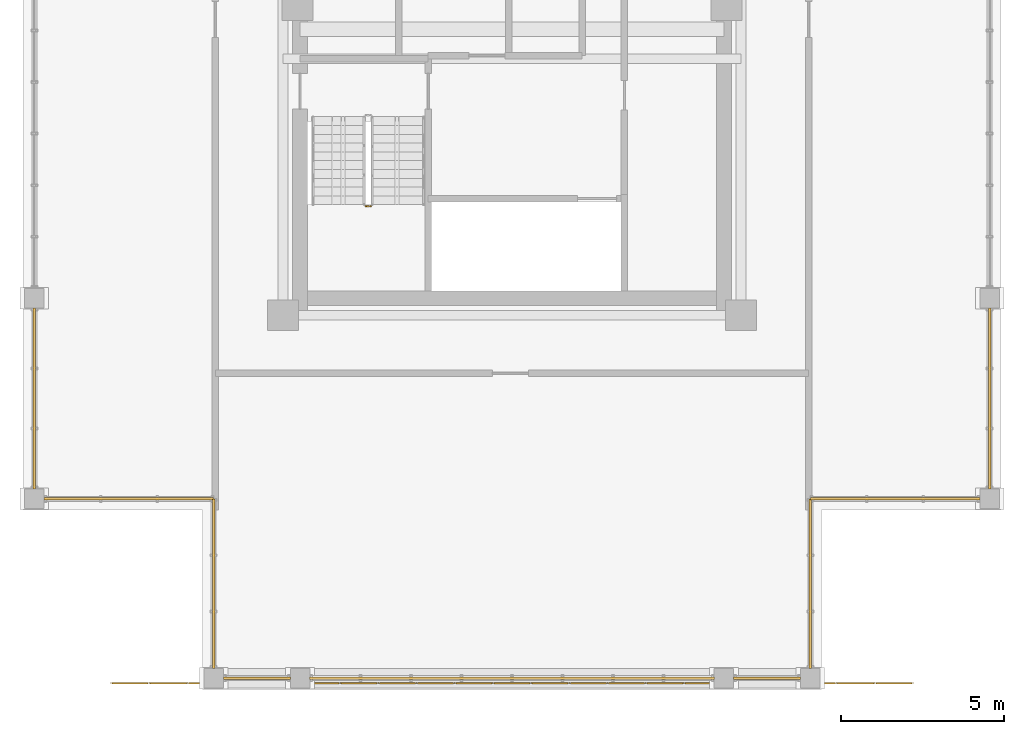
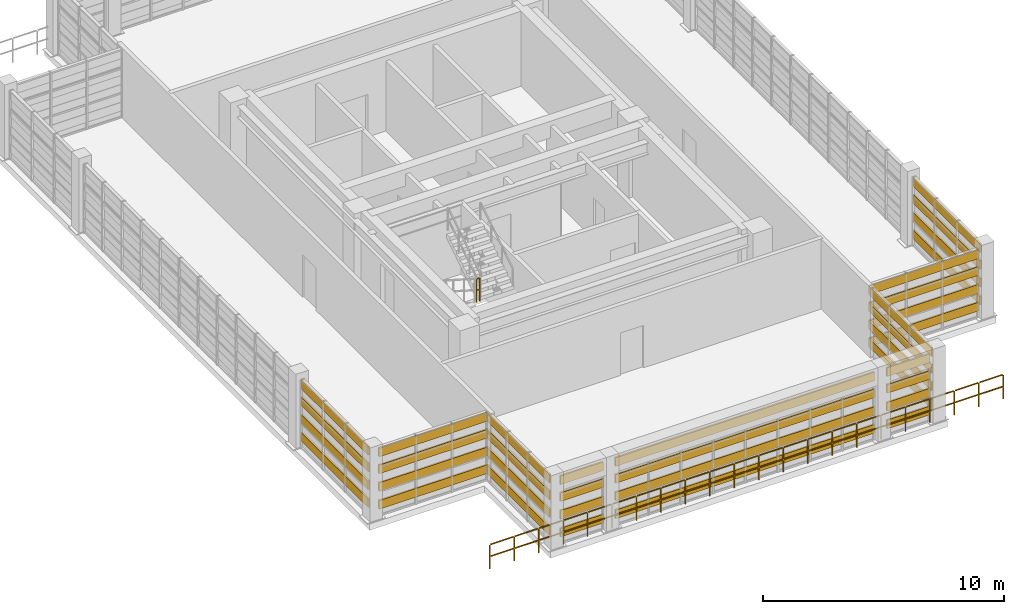
# One storey, part 22 of 24: 36 shading devices, 2 railings.
"""IFC4 building model written with IfcOpenShell, lengths in metres."""

import ifcopenshell
import ifcopenshell.guid

model = None  # the IFC model being written
_history = None  # IfcOwnerHistory: only IFC2X3 demands one
_inside = {}  # id of a spatial element -> (the spatial element, [elements in it])
_under = {}  # id of a project, library or spatial element -> (it, [spatial elements below it])
_declared = {}  # id of a project -> (the project, [libraries it declares])
_typed = {}  # id of a type object -> (the type object, [elements of that type])
_made_of = {}  # id of a material, layer set ... -> (it, [elements and type objects made of it])


def new_model(schema):
    """Start an empty IFC model of exactly this schema.

    Asked for "IFC4X3", IfcOpenShell would pick the latest addendum, in which some entities
    have other attributes; the version numbers below select the first issue.
    IFC2X3 requires an IfcOwnerHistory on every rooted entity: one is made here for all.
    """
    global model, _history
    if schema == "IFC4X3":
        model = ifcopenshell.file(schema_version=(4, 3, 0, 0))
    else:
        model = ifcopenshell.file(schema=schema)
    _inside.clear()
    _under.clear()
    _declared.clear()
    _typed.clear()
    _made_of.clear()
    _history = None
    if model.schema == "IFC2X3":
        org = make("IfcOrganization", Name="unknown")
        user = make(
            "IfcPersonAndOrganization",
            ThePerson=make("IfcPerson", FamilyName="unknown"),
            TheOrganization=org,
        )
        app = make(
            "IfcApplication",
            ApplicationDeveloper=org,
            Version="unknown",
            ApplicationFullName="unknown",
            ApplicationIdentifier="unknown",
        )
        _history = make(
            "IfcOwnerHistory",
            OwningUser=user,
            OwningApplication=app,
            ChangeAction="ADDED",
            CreationDate=0,
        )
    return model


def make(cls, **values):
    """One entity of the class cls with the attributes given. An attribute that is None is left unset."""
    return model.create_entity(
        cls, **{name: value for name, value in values.items() if value is not None}
    )


def rooted(cls, **values):
    """An entity with a GlobalId (a new one), such as an element, a storey or a relation."""
    return make(cls, GlobalId=ifcopenshell.guid.new(), OwnerHistory=_history, **values)


def si_unit(unit_type, name, prefix=None):
    """IfcSIUnit, for example si_unit("LENGTHUNIT", "METRE", prefix="MILLI")."""
    return make("IfcSIUnit", UnitType=unit_type, Prefix=prefix, Name=name)


def assignment(units):
    """IfcUnitAssignment: the units of a project."""
    return None if units is None else make("IfcUnitAssignment", Units=units)


def point(xyz):
    """IfcCartesianPoint."""
    return None if xyz is None else make("IfcCartesianPoint", Coordinates=xyz)


def direction(xyz):
    """IfcDirection."""
    return None if xyz is None else make("IfcDirection", DirectionRatios=xyz)


def frame(location, z_axis=None, x_axis=None):
    """IfcAxis2Placement3D, a coordinate frame: its origin and axes. An axis left out is left unset."""
    return make(
        "IfcAxis2Placement3D",
        Location=point(location),
        Axis=direction(z_axis),
        RefDirection=direction(x_axis),
    )


def frame_2d(location, x_axis=None):
    """IfcAxis2Placement2D, a coordinate frame in the plane: its origin and x axis."""
    return make(
        "IfcAxis2Placement2D", Location=point(location), RefDirection=direction(x_axis)
    )


def origin():
    """The frame at (0, 0, 0) with its axes left unset."""
    return frame((0.0, 0.0, 0.0))


def origin_2d():
    """The frame at (0, 0) in the plane with its x axis left unset."""
    return frame_2d((0.0, 0.0))


def place(relative_to, where):
    """IfcLocalPlacement: puts the frame where relative to a parent placement (None: the world)."""
    return make(
        "IfcLocalPlacement", PlacementRelTo=relative_to, RelativePlacement=where
    )


def context(
    kind, dimensions, precision=None, world=None, true_north=None, identifier=None
):
    """IfcGeometricRepresentationContext, for example the 3D "Model" context."""
    return make(
        "IfcGeometricRepresentationContext",
        ContextIdentifier=identifier,
        ContextType=kind,
        CoordinateSpaceDimension=dimensions,
        Precision=precision,
        WorldCoordinateSystem=world,
        TrueNorth=true_north,
    )


def subcontext(parent, identifier, kind, view, scale=None):
    """IfcGeometricRepresentationSubContext, for example "Body" below "Model"."""
    return make(
        "IfcGeometricRepresentationSubContext",
        ContextIdentifier=identifier,
        ContextType=kind,
        ParentContext=parent,
        TargetScale=scale,
        TargetView=view,
    )


def project(units=None, contexts=None):
    """IfcProject with its units and contexts."""
    return rooted(
        "IfcProject",
        Name="project",
        RepresentationContexts=contexts,
        UnitsInContext=assignment(units),
    )


def spatial(cls, under=None, at=None, **own):
    """A site, building, storey or space (cls), placed at a placement, below another one or the project."""
    s = rooted(cls, ObjectPlacement=at, **own)
    if under is not None:
        _under.setdefault(under.id(), (under, []))[1].append(s)
    return s


def profile(cls, at=None, kind="AREA", **sizes):
    """A parametric profile (cls). Its sizes go by their IFC names, for example OverallWidth=200.0."""
    return make(cls, ProfileType=kind, Position=at, **sizes)


def rectangle(**sizes):
    """IfcRectangleProfileDef."""
    return profile("IfcRectangleProfileDef", **sizes)


def extrude(swept, where, along, depth):
    """IfcExtrudedAreaSolid: the profile swept, set in the frame where, extruded along a direction by depth."""
    return make(
        "IfcExtrudedAreaSolid",
        SweptArea=swept,
        Position=where,
        ExtrudedDirection=direction(along),
        Depth=depth,
    )


def shape(context_of_items, identifier, shape_type, items):
    """IfcShapeRepresentation: the items that make up one representation, for example the "Body"."""
    return make(
        "IfcShapeRepresentation",
        ContextOfItems=context_of_items,
        RepresentationIdentifier=identifier,
        RepresentationType=shape_type,
        Items=items,
    )


def source(mapping_origin, context_of_items, identifier, shape_type, items):
    """IfcRepresentationMap: a shape defined once, which mapped items show again and again."""
    return make(
        "IfcRepresentationMap",
        MappingOrigin=mapping_origin,
        MappedRepresentation=shape(context_of_items, identifier, shape_type, items),
    )


def transform(
    local_origin,
    x_axis=None,
    y_axis=None,
    z_axis=None,
    scale=None,
    scale2=None,
    scale3=None,
    uniform=True,
):
    """IfcCartesianTransformationOperator3D, or its non-uniform kind. x_axis, y_axis, z_axis: its Axis1, 2, 3."""
    if uniform:
        return make(
            "IfcCartesianTransformationOperator3D",
            Axis1=direction(x_axis),
            Axis2=direction(y_axis),
            LocalOrigin=point(local_origin),
            Scale=scale,
            Axis3=direction(z_axis),
        )
    return make(
        "IfcCartesianTransformationOperator3DnonUniform",
        Axis1=direction(x_axis),
        Axis2=direction(y_axis),
        LocalOrigin=point(local_origin),
        Scale=scale,
        Axis3=direction(z_axis),
        Scale2=scale2,
        Scale3=scale3,
    )


def mapped(mapping_source, mapping_target):
    """IfcMappedItem: shows the shape of a source again, moved by a transform."""
    return make(
        "IfcMappedItem", MappingSource=mapping_source, MappingTarget=mapping_target
    )


def material(Name=None, Category=None):
    """IfcMaterial."""
    return make("IfcMaterial", Name=Name, Category=Category)


def material_profile(
    of_material, cross_section, Name=None, Category=None, Priority=None
):
    """IfcMaterialProfile: a cross section and its material."""
    return make(
        "IfcMaterialProfile",
        Name=Name,
        Material=of_material,
        Profile=cross_section,
        Priority=Priority,
        Category=Category,
    )


def profile_set(profiles, Name=None, composite=None):
    """IfcMaterialProfileSet."""
    return make(
        "IfcMaterialProfileSet",
        Name=Name,
        MaterialProfiles=profiles,
        CompositeProfile=composite,
    )


def made_of(thing, what):
    """Note that an element or type object is made of a material, layer set ...; save() writes the relation."""
    if what is not None:
        _made_of.setdefault(what.id(), (what, []))[1].append(thing)
    return thing


def type_object(cls, material=None, **own):
    """A type object (cls), such as IfcWallType, which elements share."""
    return made_of(rooted(cls, **own), material)


def element(
    cls,
    number,
    at=None,
    inside=None,
    cuts=None,
    type_object=None,
    material=None,
    context=None,
    identifier="Body",
    shape_type=None,
    held_by="IfcProductDefinitionShape",
    body=None,
    shapes=None,
    **own,
):
    """One element of the class cls, such as IfcWall. Its Tag is "e" and its number.

    at: its placement. inside: the storey or other place that contains it. cuts: it is an
    opening in that element (IfcRelVoidsElement). A single representation is given by context,
    identifier, shape_type and body (its items); several are given by shapes. held_by: the class
    of the entity that holds the representations. save() writes the other relations.
    """
    e = rooted(cls, Tag="e%d" % number, ObjectPlacement=at, **own)
    if body is not None:
        shapes = [shape(context, identifier, shape_type, body)]
    if shapes is not None:
        e.Representation = make(held_by, Representations=shapes)
    if inside is not None:
        _inside.setdefault(inside.id(), (inside, []))[1].append(e)
    if cuts is not None:
        rooted(
            "IfcRelVoidsElement", RelatingBuildingElement=cuts, RelatedOpeningElement=e
        )
    if type_object is not None:
        _typed.setdefault(type_object.id(), (type_object, []))[1].append(e)
    return made_of(e, material)


def aggregate(whole, parts):
    """IfcRelAggregates: a whole, such as a stair, and the parts it consists of."""
    return rooted("IfcRelAggregates", RelatingObject=whole, RelatedObjects=parts)


def save(model, path):
    """Write the relations noted so far, then the file.

    IfcRelAggregates (storeys below a building ...), IfcRelContainedInSpatialStructure (elements
    in a storey), IfcRelDefinesByType, IfcRelAssociatesMaterial and IfcRelDeclares: one each for
    every whole, place, type object, material and project.
    """
    for whole, parts in _under.values():
        aggregate(whole, parts)
    for where, things in _inside.values():
        rooted(
            "IfcRelContainedInSpatialStructure",
            RelatedElements=things,
            RelatingStructure=where,
        )
    for kind, things in _typed.values():
        rooted("IfcRelDefinesByType", RelatedObjects=things, RelatingType=kind)
    for what, things in _made_of.values():
        rooted("IfcRelAssociatesMaterial", RelatedObjects=things, RelatingMaterial=what)
    for by, libraries in _declared.values():
        rooted("IfcRelDeclares", RelatingContext=by, RelatedDefinitions=libraries)
    model.write(path)


model = new_model("IFC4")

# Units and contexts
model_context = context("Model", 3, precision=1e-05, world=origin(), true_north=direction((0.0, 1.0)))
body_context = subcontext(model_context, "Body", "Model", "MODEL_VIEW")
ifc_project = project(units=[si_unit("LENGTHUNIT", "METRE"), si_unit("AREAUNIT", "SQUARE_METRE"), si_unit("VOLUMEUNIT", "CUBIC_METRE"), si_unit("PLANEANGLEUNIT", "RADIAN"), si_unit("MASSUNIT", "GRAM", prefix="KILO")], contexts=[model_context])

# Site, building, storey
site_placement = place(None, origin())
site = spatial("IfcSite", under=ifc_project, at=site_placement, CompositionType="ELEMENT")
building_placement = place(site_placement, origin())
building = spatial("IfcBuilding", under=site, at=building_placement, Name="Saelheon Loggia Tower", CompositionType="ELEMENT")
storey_placement = place(building_placement, frame((0.0, 0.0, 252.199951171875)))
storey = spatial("IfcBuildingStorey", under=building, at=storey_placement, Name="CR1", CompositionType="ELEMENT", Elevation=252.199951171875)

# Railings
ifc_material_1 = material(Name="Galvanised Steel S275 Stairwell Guardrail", Category="steel")
railing_type_1 = type_object("IfcRailingType", Name="Guard_StairWell_RL_STG", PredefinedType="GUARDRAIL", material=ifc_material_1)
railing_1_placement = place(storey_placement, frame((33.510009765625, 20.820068359375, 1.900146484375)))
element("IfcRailing", 1, at=railing_1_placement, inside=storey, type_object=railing_type_1, Name="CR1 ST5 stair guard 2", PredefinedType="GUARDRAIL", context=body_context, shape_type="SweptSolid", body=[
    extrude(rectangle(XDim=0.048095703125, YDim=0.048095703125, at=origin_2d()), frame((0.033203125, 0.0, 1.17578125), z_axis=(1.0, 0.0, 0.0), x_axis=(0.0, 1.0, 0.0)), (0.0, 0.0, 1.0), 0.093505859375),
    extrude(rectangle(XDim=0.048095703125, YDim=0.048095703125, at=origin_2d()), frame((0.033203125, 0.0, 0.60009765625), z_axis=(1.0, 0.0, 0.0), x_axis=(0.0, 1.0, 0.0)), (0.0, 0.0, 1.0), 0.093505859375),
    extrude(rectangle(XDim=0.0419921875, YDim=0.0419921875, at=origin_2d()), origin(), (0.0, 0.0, 1.0), 1.14794921875),
    extrude(rectangle(XDim=0.0419921875, YDim=0.0419921875, at=origin_2d()), frame((0.159912109375, 0.0, 0.0)), (0.0, 0.0, 1.0), 1.14794921875),
])
ifc_material_2 = material(Name="Stainless Steel 316L Post and Laminated Glass Guardrail", Category="steel")
railing_type_2 = type_object("IfcRailingType", Name="Guard_Terrace_1250", PredefinedType="GUARDRAIL", material=ifc_material_2)
railing_2_placement = place(storey_placement, frame((25.699951171875, 6.199951171875, 0.0)))
element("IfcRailing", 2, at=railing_2_placement, inside=storey, type_object=railing_type_2, Name="CR1 Crown Deck South Guardrail", PredefinedType="GUARDRAIL", context=body_context, shape_type="SweptSolid", body=[
    extrude(rectangle(XDim=0.048095703125, YDim=0.048095703125, at=origin_2d()), frame((0.033203125, 0.0, 1.22607421875), z_axis=(1.0, 0.0, 0.0), x_axis=(0.0, 1.0, 0.0)), (0.0, 0.0, 1.0), 1.10498046875),
    extrude(rectangle(XDim=0.048095703125, YDim=0.048095703125, at=origin_2d()), frame((0.033203125, 0.0, 0.625), z_axis=(1.0, 0.0, 0.0), x_axis=(0.0, 1.0, 0.0)), (0.0, 0.0, 1.0), 1.10498046875),
    extrude(rectangle(XDim=0.048095703125, YDim=0.048095703125, at=origin_2d()), frame((1.20458984375, 0.0, 1.22607421875), z_axis=(1.0, 0.0, 0.0), x_axis=(0.0, 1.0, 0.0)), (0.0, 0.0, 1.0), 1.10498046875),
    extrude(rectangle(XDim=0.048095703125, YDim=0.048095703125, at=origin_2d()), frame((1.20458984375, 0.0, 0.625), z_axis=(1.0, 0.0, 0.0), x_axis=(0.0, 1.0, 0.0)), (0.0, 0.0, 1.0), 1.10498046875),
    extrude(rectangle(XDim=0.048095703125, YDim=0.048095703125, at=origin_2d()), frame((2.376220703125, 0.0, 1.22607421875), z_axis=(1.0, 0.0, 0.0), x_axis=(0.0, 1.0, 0.0)), (0.0, 0.0, 1.0), 1.10498046875),
    extrude(rectangle(XDim=0.048095703125, YDim=0.048095703125, at=origin_2d()), frame((2.376220703125, 0.0, 0.625), z_axis=(1.0, 0.0, 0.0), x_axis=(0.0, 1.0, 0.0)), (0.0, 0.0, 1.0), 1.10498046875),
    extrude(rectangle(XDim=0.048095703125, YDim=0.048095703125, at=origin_2d()), frame((3.547607421875, 0.0, 1.22607421875), z_axis=(1.0, 0.0, 0.0), x_axis=(0.0, 1.0, 0.0)), (0.0, 0.0, 1.0), 1.10498046875),
    extrude(rectangle(XDim=0.048095703125, YDim=0.048095703125, at=origin_2d()), frame((3.547607421875, 0.0, 0.625), z_axis=(1.0, 0.0, 0.0), x_axis=(0.0, 1.0, 0.0)), (0.0, 0.0, 1.0), 1.10498046875),
    extrude(rectangle(XDim=0.048095703125, YDim=0.048095703125, at=origin_2d()), frame((4.718994140625, 0.0, 1.22607421875), z_axis=(1.0, 0.0, 0.0), x_axis=(0.0, 1.0, 0.0)), (0.0, 0.0, 1.0), 1.10498046875),
    extrude(rectangle(XDim=0.048095703125, YDim=0.048095703125, at=origin_2d()), frame((4.718994140625, 0.0, 0.625), z_axis=(1.0, 0.0, 0.0), x_axis=(0.0, 1.0, 0.0)), (0.0, 0.0, 1.0), 1.10498046875),
    extrude(rectangle(XDim=0.048095703125, YDim=0.048095703125, at=origin_2d()), frame((5.890380859375, 0.0, 1.22607421875), z_axis=(1.0, 0.0, 0.0), x_axis=(0.0, 1.0, 0.0)), (0.0, 0.0, 1.0), 1.10498046875),
    extrude(rectangle(XDim=0.048095703125, YDim=0.048095703125, at=origin_2d()), frame((5.890380859375, 0.0, 0.625), z_axis=(1.0, 0.0, 0.0), x_axis=(0.0, 1.0, 0.0)), (0.0, 0.0, 1.0), 1.10498046875),
    extrude(rectangle(XDim=0.048095703125, YDim=0.048095703125, at=origin_2d()), frame((7.061767578125, 0.0, 1.22607421875), z_axis=(1.0, 0.0, 0.0), x_axis=(0.0, 1.0, 0.0)), (0.0, 0.0, 1.0), 1.10498046875),
    extrude(rectangle(XDim=0.048095703125, YDim=0.048095703125, at=origin_2d()), frame((7.061767578125, 0.0, 0.625), z_axis=(1.0, 0.0, 0.0), x_axis=(0.0, 1.0, 0.0)), (0.0, 0.0, 1.0), 1.10498046875),
    extrude(rectangle(XDim=0.048095703125, YDim=0.048095703125, at=origin_2d()), frame((8.233154296875, 0.0, 1.22607421875), z_axis=(1.0, 0.0, 0.0), x_axis=(0.0, 1.0, 0.0)), (0.0, 0.0, 1.0), 1.10498046875),
    extrude(rectangle(XDim=0.048095703125, YDim=0.048095703125, at=origin_2d()), frame((8.233154296875, 0.0, 0.625), z_axis=(1.0, 0.0, 0.0), x_axis=(0.0, 1.0, 0.0)), (0.0, 0.0, 1.0), 1.10498046875),
    extrude(rectangle(XDim=0.048095703125, YDim=0.048095703125, at=origin_2d()), frame((9.40478515625, 0.0, 1.22607421875), z_axis=(1.0, 0.0, 0.0), x_axis=(0.0, 1.0, 0.0)), (0.0, 0.0, 1.0), 1.10498046875),
    extrude(rectangle(XDim=0.048095703125, YDim=0.048095703125, at=origin_2d()), frame((9.40478515625, 0.0, 0.625), z_axis=(1.0, 0.0, 0.0), x_axis=(0.0, 1.0, 0.0)), (0.0, 0.0, 1.0), 1.10498046875),
    extrude(rectangle(XDim=0.048095703125, YDim=0.048095703125, at=origin_2d()), frame((10.576171875, 0.0, 1.22607421875), z_axis=(1.0, 0.0, 0.0), x_axis=(0.0, 1.0, 0.0)), (0.0, 0.0, 1.0), 1.10498046875),
    extrude(rectangle(XDim=0.048095703125, YDim=0.048095703125, at=origin_2d()), frame((10.576171875, 0.0, 0.625), z_axis=(1.0, 0.0, 0.0), x_axis=(0.0, 1.0, 0.0)), (0.0, 0.0, 1.0), 1.10498046875),
    extrude(rectangle(XDim=0.048095703125, YDim=0.048095703125, at=origin_2d()), frame((11.74755859375, 0.0, 1.22607421875), z_axis=(1.0, 0.0, 0.0), x_axis=(0.0, 1.0, 0.0)), (0.0, 0.0, 1.0), 1.10498046875),
    extrude(rectangle(XDim=0.048095703125, YDim=0.048095703125, at=origin_2d()), frame((11.74755859375, 0.0, 0.625), z_axis=(1.0, 0.0, 0.0), x_axis=(0.0, 1.0, 0.0)), (0.0, 0.0, 1.0), 1.10498046875),
    extrude(rectangle(XDim=0.048095703125, YDim=0.048095703125, at=origin_2d()), frame((12.9189453125, 0.0, 1.22607421875), z_axis=(1.0, 0.0, 0.0), x_axis=(0.0, 1.0, 0.0)), (0.0, 0.0, 1.0), 1.10498046875),
    extrude(rectangle(XDim=0.048095703125, YDim=0.048095703125, at=origin_2d()), frame((12.9189453125, 0.0, 0.625), z_axis=(1.0, 0.0, 0.0), x_axis=(0.0, 1.0, 0.0)), (0.0, 0.0, 1.0), 1.10498046875),
    extrude(rectangle(XDim=0.048095703125, YDim=0.048095703125, at=origin_2d()), frame((14.09033203125, 0.0, 1.22607421875), z_axis=(1.0, 0.0, 0.0), x_axis=(0.0, 1.0, 0.0)), (0.0, 0.0, 1.0), 1.10498046875),
    extrude(rectangle(XDim=0.048095703125, YDim=0.048095703125, at=origin_2d()), frame((14.09033203125, 0.0, 0.625), z_axis=(1.0, 0.0, 0.0), x_axis=(0.0, 1.0, 0.0)), (0.0, 0.0, 1.0), 1.10498046875),
    extrude(rectangle(XDim=0.048095703125, YDim=0.048095703125, at=origin_2d()), frame((15.261962890625, 0.0, 1.22607421875), z_axis=(1.0, 0.0, 0.0), x_axis=(0.0, 1.0, 0.0)), (0.0, 0.0, 1.0), 1.10498046875),
    extrude(rectangle(XDim=0.048095703125, YDim=0.048095703125, at=origin_2d()), frame((15.261962890625, 0.0, 0.625), z_axis=(1.0, 0.0, 0.0), x_axis=(0.0, 1.0, 0.0)), (0.0, 0.0, 1.0), 1.10498046875),
    extrude(rectangle(XDim=0.048095703125, YDim=0.048095703125, at=origin_2d()), frame((16.433349609375, 0.0, 1.22607421875), z_axis=(1.0, 0.0, 0.0), x_axis=(0.0, 1.0, 0.0)), (0.0, 0.0, 1.0), 1.10498046875),
    extrude(rectangle(XDim=0.048095703125, YDim=0.048095703125, at=origin_2d()), frame((16.433349609375, 0.0, 0.625), z_axis=(1.0, 0.0, 0.0), x_axis=(0.0, 1.0, 0.0)), (0.0, 0.0, 1.0), 1.10498046875),
    extrude(rectangle(XDim=0.048095703125, YDim=0.048095703125, at=origin_2d()), frame((17.604736328125, 0.0, 1.22607421875), z_axis=(1.0, 0.0, 0.0), x_axis=(0.0, 1.0, 0.0)), (0.0, 0.0, 1.0), 1.10498046875),
    extrude(rectangle(XDim=0.048095703125, YDim=0.048095703125, at=origin_2d()), frame((17.604736328125, 0.0, 0.625), z_axis=(1.0, 0.0, 0.0), x_axis=(0.0, 1.0, 0.0)), (0.0, 0.0, 1.0), 1.10498046875),
    extrude(rectangle(XDim=0.048095703125, YDim=0.048095703125, at=origin_2d()), frame((18.776123046875, 0.0, 1.22607421875), z_axis=(1.0, 0.0, 0.0), x_axis=(0.0, 1.0, 0.0)), (0.0, 0.0, 1.0), 1.10498046875),
    extrude(rectangle(XDim=0.048095703125, YDim=0.048095703125, at=origin_2d()), frame((18.776123046875, 0.0, 0.625), z_axis=(1.0, 0.0, 0.0), x_axis=(0.0, 1.0, 0.0)), (0.0, 0.0, 1.0), 1.10498046875),
    extrude(rectangle(XDim=0.048095703125, YDim=0.048095703125, at=origin_2d()), frame((19.947509765625, 0.0, 1.22607421875), z_axis=(1.0, 0.0, 0.0), x_axis=(0.0, 1.0, 0.0)), (0.0, 0.0, 1.0), 1.10498046875),
    extrude(rectangle(XDim=0.048095703125, YDim=0.048095703125, at=origin_2d()), frame((19.947509765625, 0.0, 0.625), z_axis=(1.0, 0.0, 0.0), x_axis=(0.0, 1.0, 0.0)), (0.0, 0.0, 1.0), 1.10498046875),
    extrude(rectangle(XDim=0.048095703125, YDim=0.048095703125, at=origin_2d()), frame((21.119140625, 0.0, 1.22607421875), z_axis=(1.0, 0.0, 0.0), x_axis=(0.0, 1.0, 0.0)), (0.0, 0.0, 1.0), 1.10498046875),
    extrude(rectangle(XDim=0.048095703125, YDim=0.048095703125, at=origin_2d()), frame((21.119140625, 0.0, 0.625), z_axis=(1.0, 0.0, 0.0), x_axis=(0.0, 1.0, 0.0)), (0.0, 0.0, 1.0), 1.10498046875),
    extrude(rectangle(XDim=0.048095703125, YDim=0.048095703125, at=origin_2d()), frame((22.29052734375, 0.0, 1.22607421875), z_axis=(1.0, 0.0, 0.0), x_axis=(0.0, 1.0, 0.0)), (0.0, 0.0, 1.0), 1.10498046875),
    extrude(rectangle(XDim=0.048095703125, YDim=0.048095703125, at=origin_2d()), frame((22.29052734375, 0.0, 0.625), z_axis=(1.0, 0.0, 0.0), x_axis=(0.0, 1.0, 0.0)), (0.0, 0.0, 1.0), 1.10498046875),
    extrude(rectangle(XDim=0.048095703125, YDim=0.048095703125, at=origin_2d()), frame((23.4619140625, 0.0, 1.22607421875), z_axis=(1.0, 0.0, 0.0), x_axis=(0.0, 1.0, 0.0)), (0.0, 0.0, 1.0), 1.10498046875),
    extrude(rectangle(XDim=0.048095703125, YDim=0.048095703125, at=origin_2d()), frame((23.4619140625, 0.0, 0.625), z_axis=(1.0, 0.0, 0.0), x_axis=(0.0, 1.0, 0.0)), (0.0, 0.0, 1.0), 1.10498046875),
    extrude(rectangle(XDim=0.0419921875, YDim=0.0419921875, at=origin_2d()), origin(), (0.0, 0.0, 1.0), 1.197998046875),
    extrude(rectangle(XDim=0.0419921875, YDim=0.0419921875, at=origin_2d()), frame((1.17138671875, 0.0, 0.0)), (0.0, 0.0, 1.0), 1.197998046875),
    extrude(rectangle(XDim=0.0419921875, YDim=0.0419921875, at=origin_2d()), frame((2.3427734375, 0.0, 0.0)), (0.0, 0.0, 1.0), 1.197998046875),
    extrude(rectangle(XDim=0.0419921875, YDim=0.0419921875, at=origin_2d()), frame((3.514404296875, 0.0, 0.0)), (0.0, 0.0, 1.0), 1.197998046875),
    extrude(rectangle(XDim=0.0419921875, YDim=0.0419921875, at=origin_2d()), frame((4.685791015625, 0.0, 0.0)), (0.0, 0.0, 1.0), 1.197998046875),
    extrude(rectangle(XDim=0.0419921875, YDim=0.0419921875, at=origin_2d()), frame((5.857177734375, 0.0, 0.0)), (0.0, 0.0, 1.0), 1.197998046875),
    extrude(rectangle(XDim=0.0419921875, YDim=0.0419921875, at=origin_2d()), frame((7.028564453125, 0.0, 0.0)), (0.0, 0.0, 1.0), 1.197998046875),
    extrude(rectangle(XDim=0.0419921875, YDim=0.0419921875, at=origin_2d()), frame((8.199951171875, 0.0, 0.0)), (0.0, 0.0, 1.0), 1.197998046875),
    extrude(rectangle(XDim=0.0419921875, YDim=0.0419921875, at=origin_2d()), frame((9.37158203125, 0.0, 0.0)), (0.0, 0.0, 1.0), 1.197998046875),
    extrude(rectangle(XDim=0.0419921875, YDim=0.0419921875, at=origin_2d()), frame((10.54296875, 0.0, 0.0)), (0.0, 0.0, 1.0), 1.197998046875),
    extrude(rectangle(XDim=0.0419921875, YDim=0.0419921875, at=origin_2d()), frame((11.71435546875, 0.0, 0.0)), (0.0, 0.0, 1.0), 1.197998046875),
    extrude(rectangle(XDim=0.0419921875, YDim=0.0419921875, at=origin_2d()), frame((12.8857421875, 0.0, 0.0)), (0.0, 0.0, 1.0), 1.197998046875),
    extrude(rectangle(XDim=0.0419921875, YDim=0.0419921875, at=origin_2d()), frame((14.05712890625, 0.0, 0.0)), (0.0, 0.0, 1.0), 1.197998046875),
    extrude(rectangle(XDim=0.0419921875, YDim=0.0419921875, at=origin_2d()), frame((15.228515625, 0.0, 0.0)), (0.0, 0.0, 1.0), 1.197998046875),
    extrude(rectangle(XDim=0.0419921875, YDim=0.0419921875, at=origin_2d()), frame((16.400146484375, 0.0, 0.0)), (0.0, 0.0, 1.0), 1.197998046875),
    extrude(rectangle(XDim=0.0419921875, YDim=0.0419921875, at=origin_2d()), frame((17.571533203125, 0.0, 0.0)), (0.0, 0.0, 1.0), 1.197998046875),
    extrude(rectangle(XDim=0.0419921875, YDim=0.0419921875, at=origin_2d()), frame((18.742919921875, 0.0, 0.0)), (0.0, 0.0, 1.0), 1.197998046875),
    extrude(rectangle(XDim=0.0419921875, YDim=0.0419921875, at=origin_2d()), frame((19.914306640625, 0.0, 0.0)), (0.0, 0.0, 1.0), 1.197998046875),
    extrude(rectangle(XDim=0.0419921875, YDim=0.0419921875, at=origin_2d()), frame((21.085693359375, 0.0, 0.0)), (0.0, 0.0, 1.0), 1.197998046875),
    extrude(rectangle(XDim=0.0419921875, YDim=0.0419921875, at=origin_2d()), frame((22.25732421875, 0.0, 0.0)), (0.0, 0.0, 1.0), 1.197998046875),
    extrude(rectangle(XDim=0.0419921875, YDim=0.0419921875, at=origin_2d()), frame((23.4287109375, 0.0, 0.0)), (0.0, 0.0, 1.0), 1.197998046875),
    extrude(rectangle(XDim=0.0419921875, YDim=0.0419921875, at=origin_2d()), frame((24.60009765625, 0.0, 0.0)), (0.0, 0.0, 1.0), 1.197998046875),
])

# Shading devices
ifc_material_3 = material(Name="Bronze-Anodised Aluminium 6063-T6", Category="aluminium")
ifc_material_profile = material_profile(ifc_material_3, rectangle(XDim=0.080078125, YDim=0.43994140625, at=origin_2d()), Name="Louvre_CrownBlade_250")
ifc_profile_set = profile_set([ifc_material_profile], Name="Bronze-Anodised Aluminium 6063-T6")
shading_device_type = type_object("IfcShadingDeviceType", Name="Louvre_CrownBlade_250", PredefinedType="AWNING", material=ifc_profile_set)
shared_shape_1 = source(origin(), body_context, "Body", "SweptSolid", [
    extrude(rectangle(XDim=0.080078125, YDim=0.43994140625, at=origin_2d()), origin(), (0.0, 0.0, 1.0), 2.06005859375),
])
for number, where, z_axis, x_axis, name in (
    (3, (29.14501953125, 6.35009765625, 0.550048828125), (1.0, 0.0, 0.0), (0.0, 1.0, 0.0), "CR1 Crown Screen Horizontal Blade"),
    (4, (29.14501953125, 6.35009765625, 1.449951171875), (1.0, 0.0, 0.0), (0.0, 1.0, 0.0), "CR1 Crown Screen Horizontal Blade"),
    (5, (29.14501953125, 6.35009765625, 2.35009765625), (1.0, 0.0, 0.0), (0.0, 1.0, 0.0), "CR1 Crown Screen Horizontal Blade"),
    (6, (29.14501953125, 6.35009765625, 3.199951171875), (1.0, 0.0, 0.0), (0.0, 1.0, 0.0), "CR1 Crown Screen Horizontal Blade"),
    (7, (44.794921875, 6.35009765625, 0.550048828125), (1.0, 0.0, 0.0), (0.0, 1.0, 0.0), "CR1 Crown Screen Horizontal Blade"),
    (8, (44.794921875, 6.35009765625, 1.449951171875), (1.0, 0.0, 0.0), (0.0, 1.0, 0.0), "CR1 Crown Screen Horizontal Blade"),
    (9, (44.794921875, 6.35009765625, 2.35009765625), (1.0, 0.0, 0.0), (0.0, 1.0, 0.0), "CR1 Crown Screen Horizontal Blade"),
    (10, (44.794921875, 6.35009765625, 3.199951171875), (1.0, 0.0, 0.0), (0.0, 1.0, 0.0), "CR1 Crown Screen Horizontal Blade"),
):
    element("IfcShadingDevice", number, at=place(storey_placement, frame(where, z_axis=z_axis, x_axis=x_axis)), inside=storey, type_object=shading_device_type, Name=name, PredefinedType="AWNING", context=body_context, shape_type="MappedRepresentation", body=[
        mapped(shared_shape_1, transform((0.0, 0.0, 0.0), scale=1.0)),
    ])
shared_shape_2 = source(origin(), body_context, "Body", "SweptSolid", [
    extrude(rectangle(XDim=0.080078125, YDim=0.43994140625, at=origin_2d()), origin(), (0.0, 0.0, 1.0), 12.41015625),
])
for number, where, z_axis, x_axis, name in (
    (11, (31.794921875, 6.35009765625, 0.550048828125), (1.0, 0.0, 0.0), (0.0, 1.0, 0.0), "CR1 Crown Screen Horizontal Blade"),
    (12, (31.794921875, 6.35009765625, 1.449951171875), (1.0, 0.0, 0.0), (0.0, 1.0, 0.0), "CR1 Crown Screen Horizontal Blade"),
    (13, (31.794921875, 6.35009765625, 2.35009765625), (1.0, 0.0, 0.0), (0.0, 1.0, 0.0), "CR1 Crown Screen Horizontal Blade"),
    (14, (31.794921875, 6.35009765625, 3.199951171875), (1.0, 0.0, 0.0), (0.0, 1.0, 0.0), "CR1 Crown Screen Horizontal Blade"),
):
    element("IfcShadingDevice", number, at=place(storey_placement, frame(where, z_axis=z_axis, x_axis=x_axis)), inside=storey, type_object=shading_device_type, Name=name, PredefinedType="AWNING", context=body_context, shape_type="MappedRepresentation", body=[
        mapped(shared_shape_2, transform((0.0, 0.0, 0.0), scale=1.0)),
    ])
shared_shape_3 = source(origin(), body_context, "Body", "SweptSolid", [
    extrude(rectangle(XDim=0.080078125, YDim=0.43994140625, at=origin_2d()), origin(), (0.0, 0.0, 1.0), 5.205078125),
])
for number, where, z_axis, x_axis, name in (
    (15, (47.14990234375, 6.64501953125, 0.550048828125), (0.0, 1.0, 0.0), (-1.0, 0.0, 0.0), "CR1 Crown Screen Horizontal Blade"),
    (16, (47.14990234375, 6.64501953125, 1.449951171875), (0.0, 1.0, 0.0), (-1.0, 0.0, 0.0), "CR1 Crown Screen Horizontal Blade"),
    (17, (47.14990234375, 6.64501953125, 2.35009765625), (0.0, 1.0, 0.0), (-1.0, 0.0, 0.0), "CR1 Crown Screen Horizontal Blade"),
    (18, (47.14990234375, 6.64501953125, 3.199951171875), (0.0, 1.0, 0.0), (-1.0, 0.0, 0.0), "CR1 Crown Screen Horizontal Blade"),
    (19, (47.14990234375, 11.85009765625, 0.550048828125), (1.0, 0.0, 0.0), (0.0, 1.0, 0.0), "CR1 Crown Screen Horizontal Blade"),
    (20, (47.14990234375, 11.85009765625, 1.449951171875), (1.0, 0.0, 0.0), (0.0, 1.0, 0.0), "CR1 Crown Screen Horizontal Blade"),
    (21, (47.14990234375, 11.85009765625, 2.35009765625), (1.0, 0.0, 0.0), (0.0, 1.0, 0.0), "CR1 Crown Screen Horizontal Blade"),
    (22, (47.14990234375, 11.85009765625, 3.199951171875), (1.0, 0.0, 0.0), (0.0, 1.0, 0.0), "CR1 Crown Screen Horizontal Blade"),
    (23, (23.64501953125, 11.85009765625, 0.550048828125), (1.0, 0.0, 0.0), (0.0, 1.0, 0.0), "CR1 Crown Screen Horizontal Blade"),
    (24, (23.64501953125, 11.85009765625, 1.449951171875), (1.0, 0.0, 0.0), (0.0, 1.0, 0.0), "CR1 Crown Screen Horizontal Blade"),
    (25, (23.64501953125, 11.85009765625, 2.35009765625), (1.0, 0.0, 0.0), (0.0, 1.0, 0.0), "CR1 Crown Screen Horizontal Blade"),
    (26, (23.64501953125, 11.85009765625, 3.199951171875), (1.0, 0.0, 0.0), (0.0, 1.0, 0.0), "CR1 Crown Screen Horizontal Blade"),
    (27, (28.85009765625, 11.85009765625, 0.550048828125), (0.0, -1.0, 0.0), (1.0, 0.0, 0.0), "CR1 Crown Screen Horizontal Blade"),
    (28, (28.85009765625, 11.85009765625, 1.449951171875), (0.0, -1.0, 0.0), (1.0, 0.0, 0.0), "CR1 Crown Screen Horizontal Blade"),
    (29, (28.85009765625, 11.85009765625, 2.35009765625), (0.0, -1.0, 0.0), (1.0, 0.0, 0.0), "CR1 Crown Screen Horizontal Blade"),
    (30, (28.85009765625, 11.85009765625, 3.199951171875), (0.0, -1.0, 0.0), (1.0, 0.0, 0.0), "CR1 Crown Screen Horizontal Blade"),
):
    element("IfcShadingDevice", number, at=place(storey_placement, frame(where, z_axis=z_axis, x_axis=x_axis)), inside=storey, type_object=shading_device_type, Name=name, PredefinedType="AWNING", context=body_context, shape_type="MappedRepresentation", body=[
        mapped(shared_shape_3, transform((0.0, 0.0, 0.0), scale=1.0)),
    ])
shared_shape_4 = source(origin(), body_context, "Body", "SweptSolid", [
    extrude(rectangle(XDim=0.080078125, YDim=0.43994140625, at=origin_2d()), origin(), (0.0, 0.0, 1.0), 5.56005859375),
])
for number, where, z_axis, x_axis, name in (
    (31, (52.64990234375, 12.14501953125, 0.550048828125), (0.0, 1.0, 0.0), (-1.0, 0.0, 0.0), "CR1 Crown Screen Horizontal Blade"),
    (32, (52.64990234375, 12.14501953125, 1.449951171875), (0.0, 1.0, 0.0), (-1.0, 0.0, 0.0), "CR1 Crown Screen Horizontal Blade"),
    (33, (52.64990234375, 12.14501953125, 2.35009765625), (0.0, 1.0, 0.0), (-1.0, 0.0, 0.0), "CR1 Crown Screen Horizontal Blade"),
    (34, (52.64990234375, 12.14501953125, 3.199951171875), (0.0, 1.0, 0.0), (-1.0, 0.0, 0.0), "CR1 Crown Screen Horizontal Blade"),
    (35, (23.35009765625, 17.705078125, 0.550048828125), (0.0, -1.0, 0.0), (1.0, 0.0, 0.0), "CR1 Crown Screen Horizontal Blade"),
    (36, (23.35009765625, 17.705078125, 1.449951171875), (0.0, -1.0, 0.0), (1.0, 0.0, 0.0), "CR1 Crown Screen Horizontal Blade"),
    (37, (23.35009765625, 17.705078125, 2.35009765625), (0.0, -1.0, 0.0), (1.0, 0.0, 0.0), "CR1 Crown Screen Horizontal Blade"),
    (38, (23.35009765625, 17.705078125, 3.199951171875), (0.0, -1.0, 0.0), (1.0, 0.0, 0.0), "CR1 Crown Screen Horizontal Blade"),
):
    element("IfcShadingDevice", number, at=place(storey_placement, frame(where, z_axis=z_axis, x_axis=x_axis)), inside=storey, type_object=shading_device_type, Name=name, PredefinedType="AWNING", context=body_context, shape_type="MappedRepresentation", body=[
        mapped(shared_shape_4, transform((0.0, 0.0, 0.0), scale=1.0)),
    ])

save(model, "model.ifc")
